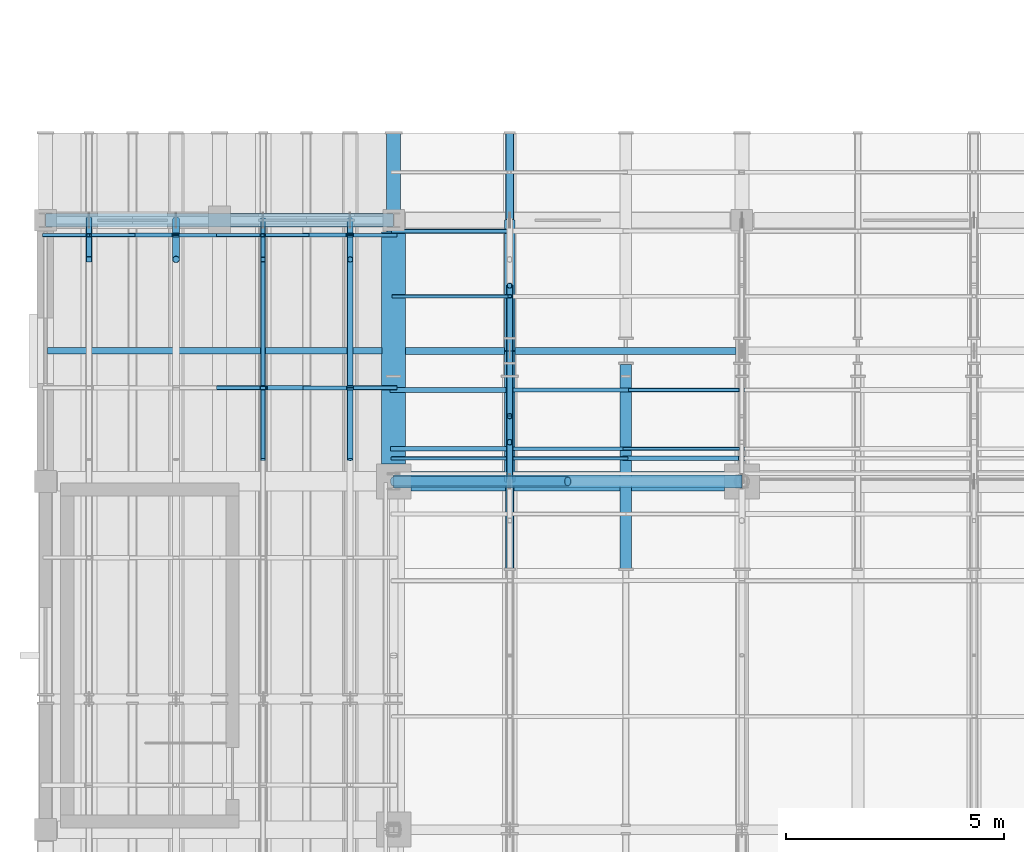
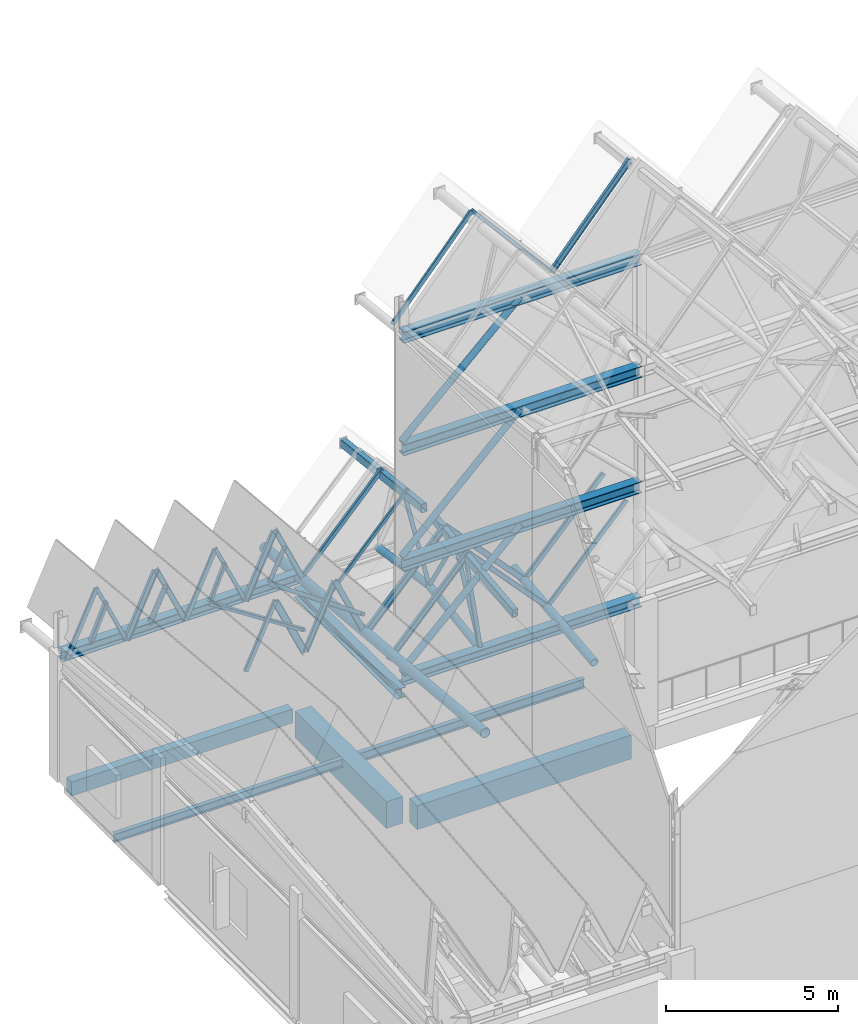
# One storey, part 12 of 48: 38 members, 15 beams.
"""IFC4 building model written with IfcOpenShell, lengths in metres."""

from ifc_helpers import new_model, si_unit, direction, frame, origin, origin_2d, place, context, subcontext, project, spatial, rectangle, hollow_rectangle, hollow_circle, i_section, extrude, material, material_profile, profile_set, type_object, element, save


model = new_model("IFC4")

# Units and contexts
model_context = context("Model", 3, precision=1e-05, world=origin(), true_north=direction((0.0, 1.0)))
body_context = subcontext(model_context, "Body", "Model", "MODEL_VIEW")
ifc_project = project(units=[si_unit("LENGTHUNIT", "METRE"), si_unit("AREAUNIT", "SQUARE_METRE"), si_unit("VOLUMEUNIT", "CUBIC_METRE"), si_unit("PLANEANGLEUNIT", "RADIAN"), si_unit("MASSUNIT", "GRAM", prefix="KILO")], contexts=[model_context])

# Site, building, storey
site_placement = place(None, origin())
site = spatial("IfcSite", under=ifc_project, at=site_placement, CompositionType="ELEMENT")
building_placement = place(site_placement, origin())
building = spatial("IfcBuilding", under=site, at=building_placement, Name="Luwemba Playhouse", CompositionType="ELEMENT")
storey_placement = place(building_placement, frame((0.0, 0.0, 13.800048828125)))
storey = spatial("IfcBuildingStorey", under=building, at=storey_placement, Name="L03", CompositionType="ELEMENT", Elevation=13.800048828125)

# Beams
ifc_material_1 = material(Name="Concrete C40/50", Category="concrete")
ifc_material_profile_1 = material_profile(ifc_material_1, rectangle(XDim=0.449951171875, YDim=0.85009765625, at=origin_2d()))
ifc_profile_set_1 = profile_set([ifc_material_profile_1], Name="Concrete C40/50")
beam_type_1 = type_object("IfcBeamType", Name="BM-RB05", PredefinedType="BEAM", material=ifc_profile_set_1)
beam_1_placement = place(storey_placement, frame((12.39990234375, 84.0, -0.655029296875), z_axis=(1.0, 0.0, 0.0), x_axis=(0.0, 1.0, 0.0)))
element("IfcBeam", 1, at=beam_1_placement, inside=storey, type_object=beam_type_1, Name="L03 grid girder 0836", PredefinedType="BEAM", context=body_context, shape_type="SweptSolid", body=[
    extrude(rectangle(XDim=0.449951171875, YDim=0.85009765625, at=origin_2d()), origin(), (0.0, 0.0, 1.0), 7.2001953125),
])
ifc_material_profile_2 = material_profile(ifc_material_1, rectangle(XDim=0.550048828125, YDim=0.949951171875, at=origin_2d()))
ifc_profile_set_2 = profile_set([ifc_material_profile_2], Name="Concrete C40/50")
beam_type_2 = type_object("IfcBeamType", Name="BM-RB08", PredefinedType="BEAM", material=ifc_profile_set_2)
beam_2_placement = place(storey_placement, frame((12.0, 84.39990234375, -0.705078125), z_axis=(0.0, 1.0, 0.0), x_axis=(-1.0, 0.0, 0.0)))
element("IfcBeam", 2, at=beam_2_placement, inside=storey, type_object=beam_type_2, Name="L03 transverse girder 0850", PredefinedType="BEAM", context=body_context, shape_type="SweptSolid", body=[
    extrude(rectangle(XDim=0.550048828125, YDim=0.949951171875, at=origin_2d()), origin(), (0.0, 0.0, 1.0), 5.3251953125),
])
ifc_material_2 = material(Name="Steel S355", Category="steel")
ifc_material_profile_3 = material_profile(ifc_material_2, hollow_rectangle(XDim=0.199951171875, YDim=0.300048828125, WallThickness=0.012451171875, InnerFilletRadius=0.018798828125, OuterFilletRadius=0.03125, at=origin_2d()))
ifc_profile_set_3 = profile_set([ifc_material_profile_3], Name="Steel S355")
beam_type_3 = type_object("IfcBeamType", Name="BM-RTG2", PredefinedType="USERDEFINED", material=ifc_profile_set_3)
for number, where, z_axis, x_axis, name in (
    (3, (14.666748046875, 82.0, 6.90380859375), (0.0, 0.993764176703, 0.111502291916), (-1.0, 0.0, 0.0), "ROOF TRUSS ridge girder 0124"),
    (4, (14.666748046875, 87.300048828125, 7.43115234375), (0.0, 0.993764176703, -0.111502291916), (-1.0, 0.0, 0.0), "ROOF TRUSS ridge girder 0125"),
):
    element("IfcBeam", number, at=place(storey_placement, frame(where, z_axis=z_axis, x_axis=x_axis)), inside=storey, type_object=beam_type_3, Name=name, ObjectType="ROOF TRUSS", PredefinedType="USERDEFINED", context=body_context, shape_type="SweptSolid", body=[
        extrude(hollow_rectangle(XDim=0.199951171875, YDim=0.300048828125, WallThickness=0.012451171875, InnerFilletRadius=0.018798828125, OuterFilletRadius=0.03125, at=origin_2d()), origin(), (0.0, 0.0, 1.0), 4.7294921875),
    ])
ifc_material_profile_4 = material_profile(ifc_material_2, hollow_circle(Radius=0.136474609375, WallThickness=0.012451171875, at=origin_2d()))
ifc_profile_set_4 = profile_set([ifc_material_profile_4], Name="Steel S355")
beam_type_4 = type_object("IfcBeamType", Name="BM-RTG3", PredefinedType="USERDEFINED", material=ifc_profile_set_4)
beam_3_placement = place(storey_placement, frame((17.333251953125, 82.0, 4.214111328125), z_axis=(0.0, 0.993764176703, 0.111502291916), x_axis=(-1.0, 0.0, 0.0)))
element("IfcBeam", 5, at=beam_3_placement, inside=storey, type_object=beam_type_4, Name="ROOF TRUSS valley girder 0126", ObjectType="ROOF TRUSS", PredefinedType="USERDEFINED", context=body_context, shape_type="SweptSolid", body=[
    extrude(hollow_circle(Radius=0.136474609375, WallThickness=0.012451171875, at=origin_2d()), origin(), (0.0, 0.0, 1.0), 4.7294921875),
])
ifc_material_profile_5 = material_profile(ifc_material_2, hollow_circle(Radius=0.161865234375, WallThickness=0.01611328125, at=origin_2d()))
ifc_profile_set_5 = profile_set([ifc_material_profile_5], Name="Steel S355")
beam_type_5 = type_object("IfcBeamType", Name="BM-RTG4", PredefinedType="USERDEFINED", material=ifc_profile_set_5)
beam_4_placement = place(storey_placement, frame((12.0, 79.110107421875, 5.331787109375), z_axis=(0.0, 0.995694863299, -0.092691635), x_axis=(-1.0, 0.0, 0.0)))
element("IfcBeam", 6, at=beam_4_placement, inside=storey, type_object=beam_type_5, Name="ROOF TRUSS valley girder 0109", ObjectType="ROOF TRUSS", PredefinedType="USERDEFINED", context=body_context, shape_type="SweptSolid", body=[
    extrude(hollow_circle(Radius=0.161865234375, WallThickness=0.01611328125, at=origin_2d()), origin(), (0.0, 0.0, 1.0), 12.945556640625),
])
ifc_material_profile_6 = material_profile(ifc_material_2, i_section(OverallWidth=0.300048828125, OverallDepth=0.360107421875, WebThickness=0.012451171875, FlangeThickness=0.0224609375, FilletRadius=0.027099609375, at=origin_2d()))
ifc_profile_set_6 = profile_set([ifc_material_profile_6], Name="Steel S355")
beam_type_6 = type_object("IfcBeamType", Name="BM-SB09", PredefinedType="BEAM", material=ifc_profile_set_6)
beam_5_placement = place(storey_placement, frame((4.0, 90.0, 4.320068359375), z_axis=(1.0, 0.0, 0.0), x_axis=(0.0, 1.0, 0.0)))
element("IfcBeam", 7, at=beam_5_placement, inside=storey, type_object=beam_type_6, Name="RF-V2-LOW eave ring beam 0082", PredefinedType="BEAM", context=body_context, shape_type="SweptSolid", body=[
    extrude(i_section(OverallWidth=0.300048828125, OverallDepth=0.360107421875, WebThickness=0.012451171875, FlangeThickness=0.0224609375, FilletRadius=0.027099609375, at=origin_2d()), origin(), (0.0, 0.0, 1.0), 8.0),
])
beam_6_placement = place(storey_placement, frame((12.0, 84.0, 3.780029296875), z_axis=(0.0, 1.0, 0.0), x_axis=(-1.0, 0.0, 0.0)))
element("IfcBeam", 8, at=beam_6_placement, inside=storey, type_object=beam_type_6, Name="RF-V2-LOW gable ring beam 0088", PredefinedType="BEAM", context=body_context, shape_type="SweptSolid", body=[
    extrude(i_section(OverallWidth=0.300048828125, OverallDepth=0.360107421875, WebThickness=0.012451171875, FlangeThickness=0.0224609375, FilletRadius=0.027099609375, at=origin_2d()), origin(), (0.0, 0.0, 1.0), 6.0),
])
beam_7_placement = place(storey_placement, frame((12.0, 84.0, 4.320068359375), z_axis=(1.0, 0.0, 0.0), x_axis=(0.0, 1.0, 0.0)))
element("IfcBeam", 9, at=beam_7_placement, inside=storey, type_object=beam_type_6, Name="RF-V2-NORTH eave ring beam 0110", PredefinedType="BEAM", context=body_context, shape_type="SweptSolid", body=[
    extrude(i_section(OverallWidth=0.300048828125, OverallDepth=0.360107421875, WebThickness=0.012451171875, FlangeThickness=0.0224609375, FilletRadius=0.027099609375, at=origin_2d()), origin(), (0.0, 0.0, 1.0), 8.0),
])
ifc_material_profile_7 = material_profile(ifc_material_2, i_section(OverallWidth=0.300048828125, OverallDepth=0.39990234375, WebThickness=0.013427734375, FlangeThickness=0.02392578125, FilletRadius=0.027099609375, at=origin_2d()))
ifc_profile_set_7 = profile_set([ifc_material_profile_7], Name="Steel S355")
beam_type_7 = type_object("IfcBeamType", Name="BM-SB10", PredefinedType="BEAM", material=ifc_profile_set_7)
for number, where, z_axis, x_axis, name in (
    (10, (12.0, 84.0, 8.39990234375), (1.0, 0.0, 0.0), (0.0, 1.0, 0.0), "Fly tower ring beam 005"),
    (11, (12.0, 84.0, 12.5), (1.0, 0.0, 0.0), (0.0, 1.0, 0.0), "Fly tower ring beam 017"),
    (12, (12.0, 84.0, 16.5), (1.0, 0.0, 0.0), (0.0, 1.0, 0.0), "Fly tower ring beam 029"),
):
    element("IfcBeam", number, at=place(storey_placement, frame(where, z_axis=z_axis, x_axis=x_axis)), inside=storey, type_object=beam_type_7, Name=name, PredefinedType="BEAM", context=body_context, shape_type="SweptSolid", body=[
        extrude(i_section(OverallWidth=0.300048828125, OverallDepth=0.39990234375, WebThickness=0.013427734375, FlangeThickness=0.02392578125, FilletRadius=0.027099609375, at=origin_2d()), origin(), (0.0, 0.0, 1.0), 8.0),
    ])
ifc_material_profile_8 = material_profile(ifc_material_2, i_section(OverallWidth=0.14990234375, OverallDepth=0.300048828125, WebThickness=0.007080078125, FlangeThickness=0.0107421875, FilletRadius=0.014892578125, at=origin_2d()))
ifc_profile_set_8 = profile_set([ifc_material_profile_8], Name="Steel S355")
beam_type_8 = type_object("IfcBeamType", Name="BM-SJ05", PredefinedType="JOIST", material=ifc_profile_set_8)
beam_8_placement = place(storey_placement, frame((4.0458984375, 87.0, -0.380126953125), z_axis=(1.0, 0.0, 0.0), x_axis=(0.0, 1.0, 0.0)))
element("IfcBeam", 13, at=beam_8_placement, inside=storey, type_object=beam_type_8, Name="L03 composite floor joist 0484", PredefinedType="JOIST", context=body_context, shape_type="SweptSolid", body=[
    extrude(i_section(OverallWidth=0.14990234375, OverallDepth=0.300048828125, WebThickness=0.007080078125, FlangeThickness=0.0107421875, FilletRadius=0.014892578125, at=origin_2d()), origin(), (0.0, 0.0, 1.0), 7.68310546875),
])
ifc_material_profile_9 = material_profile(ifc_material_2, i_section(OverallWidth=0.159912109375, OverallDepth=0.330078125, WebThickness=0.007568359375, FlangeThickness=0.011474609375, FilletRadius=0.01806640625, at=origin_2d()))
ifc_profile_set_9 = profile_set([ifc_material_profile_9], Name="Steel S355")
beam_type_9 = type_object("IfcBeamType", Name="BM-SJ06", PredefinedType="JOIST", material=ifc_profile_set_9)
beam_9_placement = place(storey_placement, frame((12.27099609375, 87.0, -0.39501953125), z_axis=(1.0, 0.0, 0.0), x_axis=(0.0, 1.0, 0.0)))
element("IfcBeam", 14, at=beam_9_placement, inside=storey, type_object=beam_type_9, Name="L03 composite floor joist 0485", PredefinedType="JOIST", context=body_context, shape_type="SweptSolid", body=[
    extrude(i_section(OverallWidth=0.159912109375, OverallDepth=0.330078125, WebThickness=0.007568359375, FlangeThickness=0.011474609375, FilletRadius=0.01806640625, at=origin_2d()), origin(), (0.0, 0.0, 1.0), 7.593017578125),
])
ifc_material_profile_10 = material_profile(ifc_material_1, rectangle(XDim=0.300048828125, YDim=0.5, at=origin_2d()))
ifc_profile_set_10 = profile_set([ifc_material_profile_10], Name="Concrete C40/50")
beam_type_10 = type_object("IfcBeamType", Name="BM-SP1", PredefinedType="SPANDREL", material=ifc_profile_set_10)
beam_10_placement = place(storey_placement, frame((4.27490234375, 90.0, -0.47998046875), z_axis=(1.0, 0.0, 0.0), x_axis=(0.0, 1.0, 0.0)))
element("IfcBeam", 15, at=beam_10_placement, inside=storey, type_object=beam_type_10, Name="L03 grid girder 0840", PredefinedType="SPANDREL", context=body_context, shape_type="SweptSolid", body=[
    extrude(rectangle(XDim=0.300048828125, YDim=0.5, at=origin_2d()), origin(), (0.0, 0.0, 1.0), 7.4501953125),
])

# Members
ifc_material_profile_11 = material_profile(ifc_material_2, hollow_circle(Radius=0.06982421875, WallThickness=0.008056640625, at=origin_2d()))
ifc_profile_set_11 = profile_set([ifc_material_profile_11], Name="Steel S355")
member_type_1 = type_object("IfcMemberType", Name="MEM-MB01", PredefinedType="BRACE", material=ifc_profile_set_11)
member_1_placement = place(storey_placement, frame((11.0, 90.0, 4.39990234375), z_axis=(0.0, -0.926280076389, 0.376835799898), x_axis=(1.0, 0.0, 0.0)))
element("IfcMember", 16, at=member_1_placement, inside=storey, type_object=member_type_1, Name="ROOF TRUSS web diagonal 0102", PredefinedType="BRACE", context=body_context, shape_type="SweptSolid", body=[
    extrude(hollow_circle(Radius=0.06982421875, WallThickness=0.008056640625, at=origin_2d()), origin(), (0.0, 0.0, 1.0), 5.937744140625),
])
member_2_placement = place(storey_placement, frame((11.0, 90.0, 4.39990234375), z_axis=(0.0, -0.445327872618, 0.895367570258), x_axis=(1.0, 0.0, 0.0)))
element("IfcMember", 17, at=member_2_placement, inside=storey, type_object=member_type_1, Name="ROOF TRUSS eave knee strut 0017", PredefinedType="BRACE", context=body_context, shape_type="SweptSolid", body=[
    extrude(hollow_circle(Radius=0.06982421875, WallThickness=0.008056640625, at=origin_2d()), origin(), (0.0, 0.0, 1.0), 2.020751953125),
])
member_3_placement = place(storey_placement, frame((14.666748046875, 84.0, 4.39990234375), z_axis=(0.0, 0.459862679035, 0.88799004298), x_axis=(-1.0, 0.0, 0.0)))
element("IfcMember", 18, at=member_3_placement, inside=storey, type_object=member_type_1, Name="ROOF TRUSS web diagonal 0105", PredefinedType="BRACE", context=body_context, shape_type="SweptSolid", body=[
    extrude(hollow_circle(Radius=0.06982421875, WallThickness=0.008056640625, at=origin_2d()), origin(), (0.0, 0.0, 1.0), 3.261962890625),
])
for number, where, z_axis, x_axis, name in (
    (19, (14.666748046875, 87.0, 4.8564453125), (0.0, -0.523716901278, 0.851892368387), (1.0, 0.0, 0.0), "ROOF TRUSS web diagonal 0106"),
    (20, (14.666748046875, 87.0, 4.8564453125), (0.0, 0.523716901278, 0.851892368387), (-1.0, 0.0, 0.0), "ROOF TRUSS web diagonal 0107"),
):
    element("IfcMember", number, at=place(storey_placement, frame(where, z_axis=z_axis, x_axis=x_axis)), inside=storey, type_object=member_type_1, Name=name, PredefinedType="BRACE", context=body_context, shape_type="SweptSolid", body=[
        extrude(hollow_circle(Radius=0.06982421875, WallThickness=0.008056640625, at=origin_2d()), origin(), (0.0, 0.0, 1.0), 2.8642578125),
    ])
member_4_placement = place(storey_placement, frame((14.666748046875, 84.0, 4.39990234375), z_axis=(0.0, 0.303098438521, 0.952959252312), x_axis=(-1.0, 0.0, 0.0)))
element("IfcMember", 21, at=member_4_placement, inside=storey, type_object=member_type_1, Name="ROOF TRUSS eave knee strut 0018", PredefinedType="BRACE", context=body_context, shape_type="SweptSolid", body=[
    extrude(hollow_circle(Radius=0.06982421875, WallThickness=0.008056640625, at=origin_2d()), origin(), (0.0, 0.0, 1.0), 2.968994140625),
])
ifc_material_profile_12 = material_profile(ifc_material_2, hollow_circle(Radius=0.084228515625, WallThickness=0.008056640625, at=origin_2d()))
ifc_profile_set_12 = profile_set([ifc_material_profile_12], Name="Steel S355")
member_type_2 = type_object("IfcMemberType", Name="MEM-MB02", PredefinedType="BRACE", material=ifc_profile_set_12)
member_5_placement = place(storey_placement, frame((7.0, 90.0, 4.39990234375), z_axis=(0.0, -0.445327872618, 0.895367570258), x_axis=(1.0, 0.0, 0.0)))
element("IfcMember", 22, at=member_5_placement, inside=storey, type_object=member_type_2, Name="ROOF TRUSS eave knee strut 0015", PredefinedType="BRACE", context=body_context, shape_type="SweptSolid", body=[
    extrude(hollow_circle(Radius=0.084228515625, WallThickness=0.008056640625, at=origin_2d()), origin(), (0.0, 0.0, 1.0), 2.020751953125),
])
ifc_material_profile_13 = material_profile(ifc_material_2, hollow_circle(Radius=0.109619140625, WallThickness=0.012451171875, at=origin_2d()))
ifc_profile_set_13 = profile_set([ifc_material_profile_13], Name="Steel S355")
member_type_3 = type_object("IfcMemberType", Name="MEM-MB04", PredefinedType="BRACE", material=ifc_profile_set_13)
for number, where, z_axis, x_axis, name in (
    (23, (12.0, 84.0, 4.550048828125), (0.720500036349, 0.0, 0.693454899486), (0.0, 1.0, 0.0), "Fly tower lateral brace 005"),
    (24, (12.0, 84.0, 8.64990234375), (0.720478064824, 0.0, 0.693477727189), (0.0, 1.0, 0.0), "Fly tower lateral brace 021"),
):
    element("IfcMember", number, at=place(storey_placement, frame(where, z_axis=z_axis, x_axis=x_axis)), inside=storey, type_object=member_type_3, Name=name, PredefinedType="BRACE", context=body_context, shape_type="SweptSolid", body=[
        extrude(hollow_circle(Radius=0.109619140625, WallThickness=0.012451171875, at=origin_2d()), origin(), (0.0, 0.0, 1.0), 5.5517578125),
    ])
member_6_placement = place(storey_placement, frame((12.0, 84.0, 12.75), z_axis=(0.72953720414, 0.0, 0.683941128881), x_axis=(0.0, 1.0, 0.0)))
element("IfcMember", 25, at=member_6_placement, inside=storey, type_object=member_type_3, Name="Fly tower lateral brace 037", PredefinedType="BRACE", context=body_context, shape_type="SweptSolid", body=[
    extrude(hollow_circle(Radius=0.109619140625, WallThickness=0.012451171875, at=origin_2d()), origin(), (0.0, 0.0, 1.0), 5.48291015625),
])
ifc_material_profile_14 = material_profile(ifc_material_2, hollow_rectangle(XDim=0.1201171875, YDim=0.1201171875, WallThickness=0.008056640625, InnerFilletRadius=0.011962890625, OuterFilletRadius=0.02001953125, at=origin_2d()))
ifc_profile_set_14 = profile_set([ifc_material_profile_14], Name="Steel S355")
member_type_4 = type_object("IfcMemberType", Name="MEM-MB06", PredefinedType="BRACE", material=ifc_profile_set_14)
member_7_placement = place(storey_placement, frame((9.0, 90.0, 4.39990234375), z_axis=(0.0, -0.917587323206, 0.39753428065), x_axis=(1.0, 0.0, 0.0)))
element("IfcMember", 26, at=member_7_placement, inside=storey, type_object=member_type_4, Name="ROOF TRUSS web diagonal 0096", PredefinedType="BRACE", context=body_context, shape_type="SweptSolid", body=[
    extrude(hollow_rectangle(XDim=0.1201171875, YDim=0.1201171875, WallThickness=0.008056640625, InnerFilletRadius=0.011962890625, OuterFilletRadius=0.02001953125, at=origin_2d()), origin(), (0.0, 0.0, 1.0), 5.993896484375),
])
member_8_placement = place(storey_placement, frame((9.0, 90.0, 4.39990234375), z_axis=(0.0, -0.418208990658, 0.908350835379), x_axis=(1.0, 0.0, 0.0)))
element("IfcMember", 27, at=member_8_placement, inside=storey, type_object=member_type_4, Name="ROOF TRUSS eave knee strut 0016", PredefinedType="BRACE", context=body_context, shape_type="SweptSolid", body=[
    extrude(hollow_rectangle(XDim=0.1201171875, YDim=0.1201171875, WallThickness=0.008056640625, InnerFilletRadius=0.011962890625, OuterFilletRadius=0.02001953125, at=origin_2d()), origin(), (0.0, 0.0, 1.0), 2.15185546875),
])
ifc_material_profile_15 = material_profile(ifc_material_2, hollow_rectangle(XDim=0.139892578125, YDim=0.139892578125, WallThickness=0.008056640625, InnerFilletRadius=0.011962890625, OuterFilletRadius=0.02001953125, at=origin_2d()))
ifc_profile_set_15 = profile_set([ifc_material_profile_15], Name="Steel S355")
member_type_5 = type_object("IfcMemberType", Name="MEM-MB07", PredefinedType="BRACE", material=ifc_profile_set_15)
member_9_placement = place(storey_placement, frame((5.0, 90.0, 4.39990234375), z_axis=(0.0, -0.418208990658, 0.908350835379), x_axis=(1.0, 0.0, 0.0)))
element("IfcMember", 28, at=member_9_placement, inside=storey, type_object=member_type_5, Name="ROOF TRUSS eave knee strut 0014", PredefinedType="BRACE", context=body_context, shape_type="SweptSolid", body=[
    extrude(hollow_rectangle(XDim=0.139892578125, YDim=0.139892578125, WallThickness=0.008056640625, InnerFilletRadius=0.011962890625, OuterFilletRadius=0.02001953125, at=origin_2d()), origin(), (0.0, 0.0, 1.0), 2.15185546875),
])
ifc_material_profile_16 = material_profile(ifc_material_2, hollow_circle(Radius=0.122314453125, WallThickness=0.012451171875, at=origin_2d()))
ifc_profile_set_16 = profile_set([ifc_material_profile_16], Name="Steel S355")
member_type_6 = type_object("IfcMemberType", Name="MEM-MC01", PredefinedType="CHORD", material=ifc_profile_set_16)
for number, where, z_axis, x_axis, name in (
    (29, (14.666748046875, 84.0, 4.39990234375), (0.0, 0.988617796803, 0.150448834637), (-1.0, 0.0, 0.0), "ROOF TRUSS south bottom chord 0103"),
    (30, (14.666748046875, 87.0, 4.8564453125), (0.0, 0.988617796803, -0.150448834637), (-1.0, 0.0, 0.0), "ROOF TRUSS north bottom chord 0104"),
):
    element("IfcMember", number, at=place(storey_placement, frame(where, z_axis=z_axis, x_axis=x_axis)), inside=storey, type_object=member_type_6, Name=name, PredefinedType="CHORD", context=body_context, shape_type="SweptSolid", body=[
        extrude(hollow_circle(Radius=0.122314453125, WallThickness=0.012451171875, at=origin_2d()), origin(), (0.0, 0.0, 1.0), 3.034423828125),
    ])
ifc_material_profile_17 = material_profile(ifc_material_2, hollow_rectangle(XDim=0.080078125, YDim=0.1201171875, WallThickness=0.00634765625, InnerFilletRadius=0.009521484375, OuterFilletRadius=0.015869140625, at=origin_2d()))
ifc_profile_set_17 = profile_set([ifc_material_profile_17], Name="Steel S355")
member_type_7 = type_object("IfcMemberType", Name="MEM-MP01", PredefinedType="PURLIN", material=ifc_profile_set_17)
member_10_placement = place(storey_placement, frame((14.666748046875, 84.528076171875, 19.704833984375), z_axis=(0.651803214757, 0.0, -0.758388138906), x_axis=(0.0, 1.0, 0.0)))
element("IfcMember", 31, at=member_10_placement, inside=storey, type_object=member_type_7, Name="Pleated roof purlin 0096", PredefinedType="PURLIN", context=body_context, shape_type="SweptSolid", body=[
    extrude(hollow_rectangle(XDim=0.080078125, YDim=0.1201171875, WallThickness=0.00634765625, InnerFilletRadius=0.009521484375, OuterFilletRadius=0.015869140625, at=origin_2d()), origin(), (0.0, 0.0, 1.0), 4.091064453125),
])
for number, where, z_axis, x_axis, name in (
    (32, (5.0, 89.659912109375, 6.545654296875), (0.417570696245, 0.0, -0.908644437411), (0.0, 1.0, 0.0), "Pleated roof purlin 0168"),
    (33, (9.0, 89.659912109375, 6.545654296875), (0.417570696245, 0.0, -0.908644437411), (0.0, 1.0, 0.0), "Pleated roof purlin 0192"),
):
    element("IfcMember", number, at=place(storey_placement, frame(where, z_axis=z_axis, x_axis=x_axis)), inside=storey, type_object=member_type_7, Name=name, PredefinedType="PURLIN", context=body_context, shape_type="SweptSolid", body=[
        extrude(hollow_rectangle(XDim=0.080078125, YDim=0.1201171875, WallThickness=0.00634765625, InnerFilletRadius=0.009521484375, OuterFilletRadius=0.015869140625, at=origin_2d()), origin(), (0.0, 0.0, 1.0), 2.394775390625),
    ])
member_11_placement = place(storey_placement, frame((12.0, 88.25, 4.67333984375), z_axis=(0.681515329976, 0.0, 0.731803836426), x_axis=(0.0, 1.0, 0.0)))
element("IfcMember", 34, at=member_11_placement, inside=storey, type_object=member_type_7, Name="Pleated roof purlin 0208", PredefinedType="PURLIN", context=body_context, shape_type="SweptSolid", body=[
    extrude(hollow_rectangle(XDim=0.080078125, YDim=0.1201171875, WallThickness=0.00634765625, InnerFilletRadius=0.009521484375, OuterFilletRadius=0.015869140625, at=origin_2d()), origin(), (0.0, 0.0, 1.0), 3.9130859375),
])
ifc_material_profile_18 = material_profile(ifc_material_2, hollow_rectangle(XDim=0.10009765625, YDim=0.14990234375, WallThickness=0.008056640625, InnerFilletRadius=0.011962890625, OuterFilletRadius=0.02001953125, at=origin_2d()))
ifc_profile_set_18 = profile_set([ifc_material_profile_18], Name="Steel S355")
member_type_8 = type_object("IfcMemberType", Name="MEM-MP02", PredefinedType="PURLIN", material=ifc_profile_set_18)
member_12_placement = place(storey_placement, frame((8.0, 86.14990234375, 4.65966796875), z_axis=(0.417609380126, 0.0, 0.908626659102), x_axis=(0.0, 1.0, 0.0)))
element("IfcMember", 35, at=member_12_placement, inside=storey, type_object=member_type_8, Name="Pleated roof purlin 0185", PredefinedType="PURLIN", context=body_context, shape_type="SweptSolid", body=[
    extrude(hollow_rectangle(XDim=0.10009765625, YDim=0.14990234375, WallThickness=0.008056640625, InnerFilletRadius=0.011962890625, OuterFilletRadius=0.02001953125, at=origin_2d()), origin(), (0.0, 0.0, 1.0), 2.39453125),
])
member_13_placement = place(storey_placement, frame((12.0, 89.75, 4.4794921875), z_axis=(0.681515329976, 0.0, 0.731803836426), x_axis=(0.0, 1.0, 0.0)))
element("IfcMember", 36, at=member_13_placement, inside=storey, type_object=member_type_8, Name="Pleated roof purlin 0209", PredefinedType="PURLIN", context=body_context, shape_type="SweptSolid", body=[
    extrude(hollow_rectangle(XDim=0.10009765625, YDim=0.14990234375, WallThickness=0.008056640625, InnerFilletRadius=0.011962890625, OuterFilletRadius=0.02001953125, at=origin_2d()), origin(), (0.0, 0.0, 1.0), 3.9130859375),
])
ifc_material_profile_19 = material_profile(ifc_material_2, hollow_rectangle(XDim=0.080078125, YDim=0.159912109375, WallThickness=0.00634765625, InnerFilletRadius=0.009521484375, OuterFilletRadius=0.015869140625, at=origin_2d()))
ifc_profile_set_19 = profile_set([ifc_material_profile_19], Name="Steel S355")
member_type_9 = type_object("IfcMemberType", Name="MEM-MP03", PredefinedType="PURLIN", material=ifc_profile_set_19)
member_14_placement = place(storey_placement, frame((12.0, 84.528076171875, 16.582275390625), z_axis=(0.651808038275, 0.0, 0.758383993265), x_axis=(0.0, 1.0, 0.0)))
element("IfcMember", 37, at=member_14_placement, inside=storey, type_object=member_type_9, Name="Pleated roof purlin 0090", PredefinedType="PURLIN", context=body_context, shape_type="SweptSolid", body=[
    extrude(hollow_rectangle(XDim=0.080078125, YDim=0.159912109375, WallThickness=0.00634765625, InnerFilletRadius=0.009521484375, OuterFilletRadius=0.015869140625, at=origin_2d()), origin(), (0.0, 0.0, 1.0), 4.09130859375),
])
for number, where, z_axis, x_axis, name in (
    (38, (4.0, 89.659912109375, 4.349609375), (0.417570696245, 0.0, 0.908644437411), (0.0, 1.0, 0.0), "Pleated roof purlin 0162"),
    (39, (8.0, 89.659912109375, 4.349609375), (0.417570696245, 0.0, 0.908644437411), (0.0, 1.0, 0.0), "Pleated roof purlin 0186"),
):
    element("IfcMember", number, at=place(storey_placement, frame(where, z_axis=z_axis, x_axis=x_axis)), inside=storey, type_object=member_type_9, Name=name, PredefinedType="PURLIN", context=body_context, shape_type="SweptSolid", body=[
        extrude(hollow_rectangle(XDim=0.080078125, YDim=0.159912109375, WallThickness=0.00634765625, InnerFilletRadius=0.009521484375, OuterFilletRadius=0.015869140625, at=origin_2d()), origin(), (0.0, 0.0, 1.0), 2.394775390625),
    ])
member_15_placement = place(storey_placement, frame((17.333251953125, 84.75, 4.541259765625), z_axis=(0.681515329976, 0.0, 0.731803836426), x_axis=(0.0, 1.0, 0.0)))
element("IfcMember", 40, at=member_15_placement, inside=storey, type_object=member_type_9, Name="Pleated roof purlin 0218", PredefinedType="PURLIN", context=body_context, shape_type="SweptSolid", body=[
    extrude(hollow_rectangle(XDim=0.080078125, YDim=0.159912109375, WallThickness=0.00634765625, InnerFilletRadius=0.009521484375, OuterFilletRadius=0.015869140625, at=origin_2d()), origin(), (0.0, 0.0, 1.0), 3.9130859375),
])
ifc_material_profile_20 = material_profile(ifc_material_2, hollow_rectangle(XDim=0.10009765625, YDim=0.179931640625, WallThickness=0.008056640625, InnerFilletRadius=0.011962890625, OuterFilletRadius=0.02001953125, at=origin_2d()))
ifc_profile_set_20 = profile_set([ifc_material_profile_20], Name="Steel S355")
member_type_10 = type_object("IfcMemberType", Name="MEM-MP04", PredefinedType="PURLIN", material=ifc_profile_set_20)
member_16_placement = place(storey_placement, frame((11.0, 86.14990234375, 6.820556640625), z_axis=(0.417570696245, 0.0, -0.908644437411), x_axis=(0.0, 1.0, 0.0)))
element("IfcMember", 41, at=member_16_placement, inside=storey, type_object=member_type_10, Name="Pleated roof purlin 0203", PredefinedType="PURLIN", context=body_context, shape_type="SweptSolid", body=[
    extrude(hollow_rectangle(XDim=0.10009765625, YDim=0.179931640625, WallThickness=0.008056640625, InnerFilletRadius=0.011962890625, OuterFilletRadius=0.02001953125, at=origin_2d()), origin(), (0.0, 0.0, 1.0), 2.394775390625),
])
member_17_placement = place(storey_placement, frame((17.333251953125, 86.10009765625, 4.671875), z_axis=(0.681515329976, 0.0, 0.731803836426), x_axis=(0.0, 1.0, 0.0)))
element("IfcMember", 42, at=member_17_placement, inside=storey, type_object=member_type_10, Name="Pleated roof purlin 0219", PredefinedType="PURLIN", context=body_context, shape_type="SweptSolid", body=[
    extrude(hollow_rectangle(XDim=0.10009765625, YDim=0.179931640625, WallThickness=0.008056640625, InnerFilletRadius=0.011962890625, OuterFilletRadius=0.02001953125, at=origin_2d()), origin(), (0.0, 0.0, 1.0), 3.9130859375),
])
ifc_material_profile_21 = material_profile(ifc_material_2, i_section(OverallWidth=0.08203125, OverallDepth=0.159912109375, WebThickness=0.0048828125, FlangeThickness=0.00732421875, FilletRadius=0.009033203125, at=origin_2d()))
ifc_profile_set_21 = profile_set([ifc_material_profile_21], Name="Steel S355")
member_type_11 = type_object("IfcMemberType", Name="MEM-MP05", PredefinedType="PURLIN", material=ifc_profile_set_21)
for number, where, z_axis, x_axis, name in (
    (43, (7.0, 89.659912109375, 6.5234375), (0.417570696245, 0.0, -0.908644437411), (0.0, 1.0, 0.0), "Pleated roof purlin 0180"),
    (44, (11.0, 89.659912109375, 6.5234375), (0.417570696245, 0.0, -0.908644437411), (0.0, 1.0, 0.0), "Pleated roof purlin 0204"),
):
    element("IfcMember", number, at=place(storey_placement, frame(where, z_axis=z_axis, x_axis=x_axis)), inside=storey, type_object=member_type_11, Name=name, PredefinedType="PURLIN", context=body_context, shape_type="SweptSolid", body=[
        extrude(i_section(OverallWidth=0.08203125, OverallDepth=0.159912109375, WebThickness=0.0048828125, FlangeThickness=0.00732421875, FilletRadius=0.009033203125, at=origin_2d()), origin(), (0.0, 0.0, 1.0), 2.394775390625),
    ])
member_18_placement = place(storey_placement, frame((14.666748046875, 84.75, 7.403564453125), z_axis=(0.68148191426, 0.0, -0.731834954437), x_axis=(0.0, 1.0, 0.0)))
element("IfcMember", 45, at=member_18_placement, inside=storey, type_object=member_type_11, Name="Pleated roof purlin 0212", PredefinedType="PURLIN", context=body_context, shape_type="SweptSolid", body=[
    extrude(i_section(OverallWidth=0.08203125, OverallDepth=0.159912109375, WebThickness=0.0048828125, FlangeThickness=0.00732421875, FilletRadius=0.009033203125, at=origin_2d()), origin(), (0.0, 0.0, 1.0), 3.912841796875),
])
ifc_material_profile_22 = material_profile(ifc_material_2, i_section(OverallWidth=0.091064453125, OverallDepth=0.179931640625, WebThickness=0.00537109375, FlangeThickness=0.008056640625, FilletRadius=0.009033203125, at=origin_2d()))
ifc_profile_set_22 = profile_set([ifc_material_profile_22], Name="Steel S355")
member_type_12 = type_object("IfcMemberType", Name="MEM-MP06", PredefinedType="PURLIN", material=ifc_profile_set_22)
member_19_placement = place(storey_placement, frame((10.0, 86.14990234375, 4.654296875), z_axis=(0.417570696245, 0.0, 0.908644437411), x_axis=(0.0, 1.0, 0.0)))
element("IfcMember", 46, at=member_19_placement, inside=storey, type_object=member_type_12, Name="Pleated roof purlin 0197", PredefinedType="PURLIN", context=body_context, shape_type="SweptSolid", body=[
    extrude(i_section(OverallWidth=0.091064453125, OverallDepth=0.179931640625, WebThickness=0.00537109375, FlangeThickness=0.008056640625, FilletRadius=0.009033203125, at=origin_2d()), origin(), (0.0, 0.0, 1.0), 2.394775390625),
])
member_20_placement = place(storey_placement, frame((14.666748046875, 86.10009765625, 7.540283203125), z_axis=(0.68148191426, 0.0, -0.731834954437), x_axis=(0.0, 1.0, 0.0)))
element("IfcMember", 47, at=member_20_placement, inside=storey, type_object=member_type_12, Name="Pleated roof purlin 0213", PredefinedType="PURLIN", context=body_context, shape_type="SweptSolid", body=[
    extrude(i_section(OverallWidth=0.091064453125, OverallDepth=0.179931640625, WebThickness=0.00537109375, FlangeThickness=0.008056640625, FilletRadius=0.009033203125, at=origin_2d()), origin(), (0.0, 0.0, 1.0), 3.912841796875),
])
ifc_material_profile_23 = material_profile(ifc_material_2, i_section(OverallWidth=0.10009765625, OverallDepth=0.199951171875, WebThickness=0.005615234375, FlangeThickness=0.008544921875, FilletRadius=0.011962890625, at=origin_2d()))
ifc_profile_set_23 = profile_set([ifc_material_profile_23], Name="Steel S355")
member_type_13 = type_object("IfcMemberType", Name="MEM-MP07", PredefinedType="PURLIN", material=ifc_profile_set_23)
member_21_placement = place(storey_placement, frame((17.333251953125, 84.528076171875, 16.550537109375), z_axis=(0.651808038275, 0.0, 0.758383993265), x_axis=(0.0, 1.0, 0.0)))
element("IfcMember", 48, at=member_21_placement, inside=storey, type_object=member_type_13, Name="Pleated roof purlin 0102", PredefinedType="PURLIN", context=body_context, shape_type="SweptSolid", body=[
    extrude(i_section(OverallWidth=0.10009765625, OverallDepth=0.199951171875, WebThickness=0.005615234375, FlangeThickness=0.008544921875, FilletRadius=0.011962890625, at=origin_2d()), origin(), (0.0, 0.0, 1.0), 4.09130859375),
])
for number, where, z_axis, x_axis, name in (
    (49, (6.0, 89.659912109375, 4.307861328125), (0.417609380126, 0.0, 0.908626659102), (0.0, 1.0, 0.0), "Pleated roof purlin 0174"),
    (50, (10.0, 89.659912109375, 4.307861328125), (0.417609380126, 0.0, 0.908626659102), (0.0, 1.0, 0.0), "Pleated roof purlin 0198"),
):
    element("IfcMember", number, at=place(storey_placement, frame(where, z_axis=z_axis, x_axis=x_axis)), inside=storey, type_object=member_type_13, Name=name, PredefinedType="PURLIN", context=body_context, shape_type="SweptSolid", body=[
        extrude(i_section(OverallWidth=0.10009765625, OverallDepth=0.199951171875, WebThickness=0.005615234375, FlangeThickness=0.008544921875, FilletRadius=0.011962890625, at=origin_2d()), origin(), (0.0, 0.0, 1.0), 2.39453125),
    ])
member_22_placement = place(storey_placement, frame((12.0, 84.75, 4.510498046875), z_axis=(0.681515329976, 0.0, 0.731803836426), x_axis=(0.0, 1.0, 0.0)))
element("IfcMember", 51, at=member_22_placement, inside=storey, type_object=member_type_13, Name="Pleated roof purlin 0206", PredefinedType="PURLIN", context=body_context, shape_type="SweptSolid", body=[
    extrude(i_section(OverallWidth=0.10009765625, OverallDepth=0.199951171875, WebThickness=0.005615234375, FlangeThickness=0.008544921875, FilletRadius=0.011962890625, at=origin_2d()), origin(), (0.0, 0.0, 1.0), 3.9130859375),
])
ifc_material_profile_24 = material_profile(ifc_material_2, i_section(OverallWidth=0.110107421875, OverallDepth=0.219970703125, WebThickness=0.005859375, FlangeThickness=0.00927734375, FilletRadius=0.011962890625, at=origin_2d()))
ifc_profile_set_24 = profile_set([ifc_material_profile_24], Name="Steel S355")
member_type_14 = type_object("IfcMemberType", Name="MEM-MP08", PredefinedType="PURLIN", material=ifc_profile_set_24)
member_23_placement = place(storey_placement, frame((9.0, 86.14990234375, 6.78955078125), z_axis=(0.417609380126, 0.0, -0.908626659102), x_axis=(0.0, 1.0, 0.0)))
element("IfcMember", 52, at=member_23_placement, inside=storey, type_object=member_type_14, Name="Pleated roof purlin 0191", PredefinedType="PURLIN", context=body_context, shape_type="SweptSolid", body=[
    extrude(i_section(OverallWidth=0.110107421875, OverallDepth=0.219970703125, WebThickness=0.005859375, FlangeThickness=0.00927734375, FilletRadius=0.011962890625, at=origin_2d()), origin(), (0.0, 0.0, 1.0), 2.39453125),
])
member_24_placement = place(storey_placement, frame((12.0, 86.10009765625, 4.646484375), z_axis=(0.681515329976, 0.0, 0.731803836426), x_axis=(0.0, 1.0, 0.0)))
element("IfcMember", 53, at=member_24_placement, inside=storey, type_object=member_type_14, Name="Pleated roof purlin 0207", PredefinedType="PURLIN", context=body_context, shape_type="SweptSolid", body=[
    extrude(i_section(OverallWidth=0.110107421875, OverallDepth=0.219970703125, WebThickness=0.005859375, FlangeThickness=0.00927734375, FilletRadius=0.011962890625, at=origin_2d()), origin(), (0.0, 0.0, 1.0), 3.9130859375),
])

save(model, "model.ifc")
